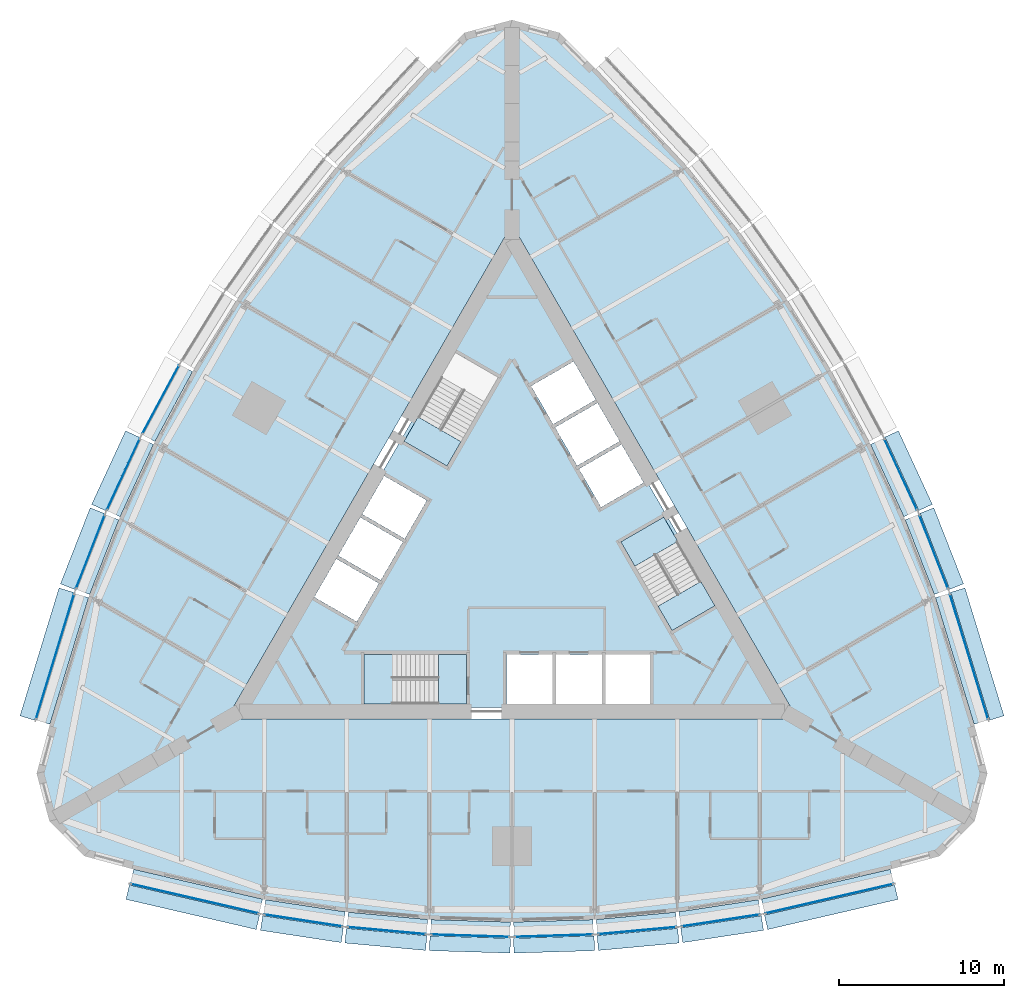
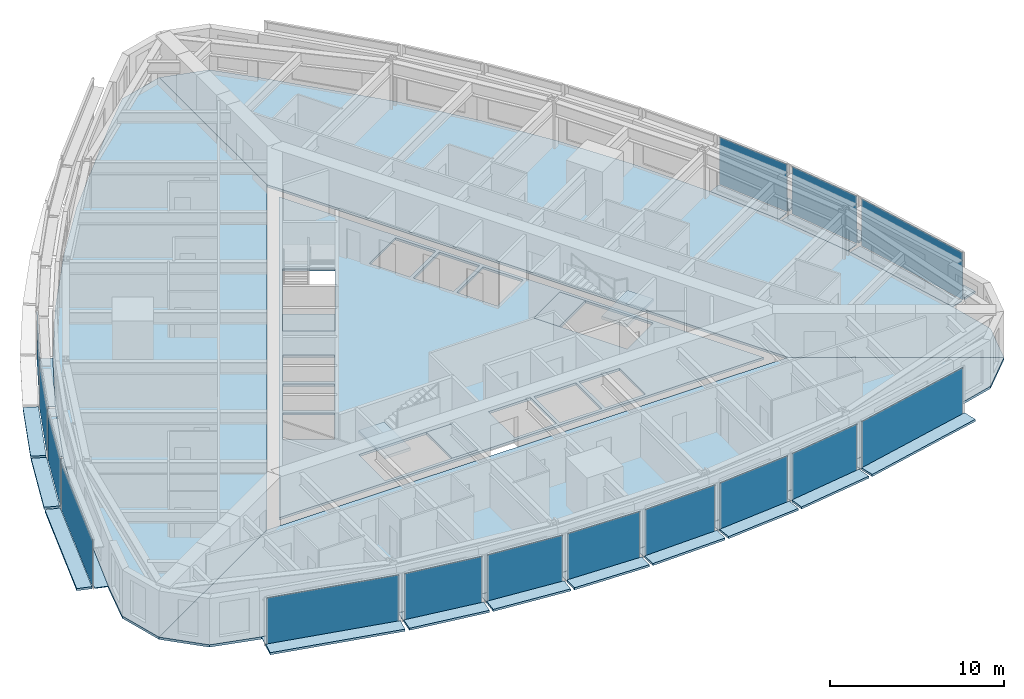
# One storey, part 6 of 14: 44 plates, 9 slabs, 18 elements without a shape of their own.
"""IFC4 building model written with IfcOpenShell, lengths in metres."""

from ifc_helpers import new_model, si_unit, direction, frame, origin, origin_2d, place, context, subcontext, project, spatial, polyline, rectangle, outline, extrude, material, layer, layer_set, type_object, element, aggregate, save


model = new_model("IFC4")

# Units and contexts
model_context = context("Model", 3, precision=1e-05, world=origin(), true_north=direction((0.0, 1.0)))
body_context = subcontext(model_context, "Body", "Model", "MODEL_VIEW")
ifc_project = project(units=[si_unit("LENGTHUNIT", "METRE"), si_unit("AREAUNIT", "SQUARE_METRE"), si_unit("VOLUMEUNIT", "CUBIC_METRE"), si_unit("PLANEANGLEUNIT", "RADIAN"), si_unit("MASSUNIT", "GRAM", prefix="KILO")], contexts=[model_context])

# Site, building, storey
site_placement = place(None, origin())
site = spatial("IfcSite", under=ifc_project, at=site_placement, CompositionType="ELEMENT")
building_placement = place(site_placement, origin())
building = spatial("IfcBuilding", under=site, at=building_placement, Name="Trikona Tower", CompositionType="ELEMENT")
storey_placement = place(building_placement, frame((0.0, 0.0, 62.5)))
storey = spatial("IfcBuildingStorey", under=building, at=storey_placement, Name="L15", CompositionType="ELEMENT", Elevation=62.5)

# Plates
ifc_material_1 = material(Name="Aluminium bar grating", Category="aluminium")
ifc_layer_1 = layer(ifc_material_1, 0.050048828125)
ifc_layer_set_1 = layer_set([ifc_layer_1], Name="Cavity catwalk grating")
plate_type_1 = type_object("IfcPlateType", Name="Cavity catwalk grating", PredefinedType="USERDEFINED", material=ifc_layer_set_1)
plate_1_placement = place(storey_placement, frame((-19.09228515625, -20.377197265625, -0.0498046875), z_axis=(0.0, 0.0, 1.0), x_axis=(0.974277718622, -0.225350675607, 0.0)))
element("IfcPlate", 1, at=plate_1_placement, inside=storey, type_object=plate_type_1, Name="Cavity catwalk L15-00", ObjectType="CATWALK GRATING", PredefinedType="USERDEFINED", context=body_context, shape_type="SweptSolid", body=[
    extrude(rectangle(XDim=8.01123046875, YDim=0.820068359375, at=origin_2d()), origin(), (0.0, 0.0, 1.0), 0.050048828125),
])
plate_2_placement = place(storey_placement, frame((-12.561767578125, -21.688720703125, -0.0498046875), z_axis=(0.0, 0.0, 1.0), x_axis=(0.988617896768, -0.150448177754, 0.0)))
element("IfcPlate", 2, at=plate_2_placement, inside=storey, type_object=plate_type_1, Name="Cavity catwalk L15-01", ObjectType="CATWALK GRATING", PredefinedType="USERDEFINED", context=body_context, shape_type="SweptSolid", body=[
    extrude(rectangle(XDim=4.857666015625, YDim=0.820068359375, at=origin_2d()), origin(), (0.0, 0.0, 1.0), 0.050048828125),
])
plate_3_placement = place(storey_placement, frame((-7.537353515625, -22.300537109375, -0.0498046875), z_axis=(0.0, 0.0, 1.0), x_axis=(0.995858098326, -0.090921108655, 0.0)))
element("IfcPlate", 3, at=plate_3_placement, inside=storey, type_object=plate_type_1, Name="Cavity catwalk L15-02", ObjectType="CATWALK GRATING", PredefinedType="USERDEFINED", context=body_context, shape_type="SweptSolid", body=[
    extrude(rectangle(XDim=4.82080078125, YDim=0.820068359375, at=origin_2d()), origin(), (0.0, 0.0, 1.0), 0.050048828125),
])
for number, where, z_axis, x_axis, name in (
    (4, (-2.512451171875, -22.606201171875, -0.0498046875), (0.0, 0.0, 1.0), (0.999537048889, -0.030425119525, 0.0), "Cavity catwalk L15-03"),
    (5, (2.512451171875, -22.606201171875, -0.0498046875), (0.0, 0.0, 1.0), (0.999537048889, 0.030425119525, 0.0), "Cavity catwalk L15-04"),
):
    element("IfcPlate", number, at=place(storey_placement, frame(where, z_axis=z_axis, x_axis=x_axis)), inside=storey, type_object=plate_type_1, Name=name, ObjectType="CATWALK GRATING", PredefinedType="USERDEFINED", context=body_context, shape_type="SweptSolid", body=[
        extrude(rectangle(XDim=4.80224609375, YDim=0.820068359375, at=origin_2d()), origin(), (0.0, 0.0, 1.0), 0.050048828125),
    ])
plate_4_placement = place(storey_placement, frame((7.537353515625, -22.300537109375, -0.0498046875), z_axis=(0.0, 0.0, 1.0), x_axis=(0.995858098326, 0.090921108655, 0.0)))
element("IfcPlate", 6, at=plate_4_placement, inside=storey, type_object=plate_type_1, Name="Cavity catwalk L15-05", ObjectType="CATWALK GRATING", PredefinedType="USERDEFINED", context=body_context, shape_type="SweptSolid", body=[
    extrude(rectangle(XDim=4.82080078125, YDim=0.820068359375, at=origin_2d()), origin(), (0.0, 0.0, 1.0), 0.050048828125),
])
plate_5_placement = place(storey_placement, frame((12.561767578125, -21.688720703125, -0.0498046875), z_axis=(0.0, 0.0, 1.0), x_axis=(0.988617896768, 0.150448177754, 0.0)))
element("IfcPlate", 7, at=plate_5_placement, inside=storey, type_object=plate_type_1, Name="Cavity catwalk L15-06", ObjectType="CATWALK GRATING", PredefinedType="USERDEFINED", context=body_context, shape_type="SweptSolid", body=[
    extrude(rectangle(XDim=4.857666015625, YDim=0.820068359375, at=origin_2d()), origin(), (0.0, 0.0, 1.0), 0.050048828125),
])
for number, where, z_axis, x_axis, name in (
    (8, (19.09228515625, -20.377197265625, -0.0498046875), (0.0, 0.0, 1.0), (0.974277718622, 0.225350675607, 0.0), "Cavity catwalk L15-07"),
    (9, (27.193359375, -6.345947265625, -0.0498046875), (0.0, 0.0, 1.0), (-0.291979449475, 0.956424592471, 0.0), "Cavity catwalk L15-12"),
):
    element("IfcPlate", number, at=place(storey_placement, frame(where, z_axis=z_axis, x_axis=x_axis)), inside=storey, type_object=plate_type_1, Name=name, ObjectType="CATWALK GRATING", PredefinedType="USERDEFINED", context=body_context, shape_type="SweptSolid", body=[
        extrude(rectangle(XDim=8.01123046875, YDim=0.820068359375, at=origin_2d()), origin(), (0.0, 0.0, 1.0), 0.050048828125),
    ])
plate_6_placement = place(storey_placement, frame((25.06396484375, -0.034423828125, -0.0498046875), z_axis=(0.0, 0.0, 1.0), x_axis=(-0.364008876551, 0.931395478726, 0.0)))
element("IfcPlate", 10, at=plate_6_placement, inside=storey, type_object=plate_type_1, Name="Cavity catwalk L15-13", ObjectType="CATWALK GRATING", PredefinedType="USERDEFINED", context=body_context, shape_type="SweptSolid", body=[
    extrude(rectangle(XDim=4.857666015625, YDim=0.820068359375, at=origin_2d()), origin(), (0.0, 0.0, 1.0), 0.050048828125),
])
plate_7_placement = place(storey_placement, frame((23.081298828125, 4.622802734375, -0.0498046875), z_axis=(0.0, 0.0, 1.0), x_axis=(-0.41919381307, 0.907896771161, 0.0)))
element("IfcPlate", 11, at=plate_7_placement, inside=storey, type_object=plate_type_1, Name="Cavity catwalk L15-14", ObjectType="CATWALK GRATING", PredefinedType="USERDEFINED", context=body_context, shape_type="SweptSolid", body=[
    extrude(rectangle(XDim=4.82080078125, YDim=0.820068359375, at=origin_2d()), origin(), (0.0, 0.0, 1.0), 0.050048828125),
])
plate_8_placement = place(storey_placement, frame((-20.833740234375, 9.127197265625, -0.0498046875), z_axis=(0.0, 0.0, 1.0), x_axis=(-0.473422672721, -0.880835383572, 0.0)))
element("IfcPlate", 12, at=plate_8_placement, inside=storey, type_object=plate_type_1, Name="Cavity catwalk L15-28", ObjectType="CATWALK GRATING", PredefinedType="USERDEFINED", context=body_context, shape_type="SweptSolid", body=[
    extrude(rectangle(XDim=4.80224609375, YDim=0.820068359375, at=origin_2d()), origin(), (0.0, 0.0, 1.0), 0.050048828125),
])
plate_9_placement = place(storey_placement, frame((-23.081298828125, 4.622802734375, -0.0498046875), z_axis=(0.0, 0.0, 1.0), x_axis=(-0.41919381307, -0.907896771161, 0.0)))
element("IfcPlate", 13, at=plate_9_placement, inside=storey, type_object=plate_type_1, Name="Cavity catwalk L15-29", ObjectType="CATWALK GRATING", PredefinedType="USERDEFINED", context=body_context, shape_type="SweptSolid", body=[
    extrude(rectangle(XDim=4.82080078125, YDim=0.820068359375, at=origin_2d()), origin(), (0.0, 0.0, 1.0), 0.050048828125),
])
plate_10_placement = place(storey_placement, frame((-25.06396484375, -0.034423828125, -0.0498046875), z_axis=(0.0, 0.0, 1.0), x_axis=(-0.364008876551, -0.931395478726, 0.0)))
element("IfcPlate", 14, at=plate_10_placement, inside=storey, type_object=plate_type_1, Name="Cavity catwalk L15-30", ObjectType="CATWALK GRATING", PredefinedType="USERDEFINED", context=body_context, shape_type="SweptSolid", body=[
    extrude(rectangle(XDim=4.857666015625, YDim=0.820068359375, at=origin_2d()), origin(), (0.0, 0.0, 1.0), 0.050048828125),
])
plate_11_placement = place(storey_placement, frame((-27.193359375, -6.345947265625, -0.0498046875), z_axis=(0.0, 0.0, 1.0), x_axis=(-0.291979449475, -0.956424592471, 0.0)))
element("IfcPlate", 15, at=plate_11_placement, inside=storey, type_object=plate_type_1, Name="Cavity catwalk L15-31", ObjectType="CATWALK GRATING", PredefinedType="USERDEFINED", context=body_context, shape_type="SweptSolid", body=[
    extrude(rectangle(XDim=8.01123046875, YDim=0.820068359375, at=origin_2d()), origin(), (0.0, 0.0, 1.0), 0.050048828125),
])

# Slabs
ifc_material_2 = material(Name="Concrete f'c 5000 psi lightweight on composite steel deck", Category="concrete")
ifc_layer_2 = layer(ifc_material_2, 0.1650390625)
ifc_layer_set_2 = layer_set([ifc_layer_2], Name="Composite floor slab 165")
slab_type_1 = type_object("IfcSlabType", Name="Composite floor slab 165", PredefinedType="FLOOR", material=ifc_layer_set_2)
slab_1_placement = place(storey_placement, frame((0.0, 0.0, -0.1650390625)))
element("IfcSlab", 16, at=slab_1_placement, inside=storey, type_object=slab_type_1, Name="Floor slab L15 core", PredefinedType="FLOOR", context=body_context, shape_type="SweptSolid", body=[
    extrude(outline(polyline([(-16.06689453125, -9.2763671875), (16.06689453125, -9.2763671875), (0.0, 18.552490234375), (-16.06689453125, -9.2763671875)]), holes=[polyline([(12.285400390625, -3.126220703125), (9.185302734375, 2.2431640625), (6.587158203125, 0.7431640625), (9.687255859375, -4.626220703125), (12.285400390625, -3.126220703125)]), polyline([(8.340087890625, -9.06640625), (8.340087890625, -6.086181640625), (5.659912109375, -6.086181640625), (5.659912109375, -9.06640625), (8.340087890625, -9.06640625)]), polyline([(5.390869140625, 2.835205078125), (7.9716796875, 4.3251953125), (6.631591796875, 6.646240234375), (4.05078125, 5.15625), (5.390869140625, 2.835205078125)]), polyline([(2.600830078125, 7.667724609375), (3.94091796875, 5.3466796875), (6.521484375, 6.8369140625), (5.181640625, 9.15771484375), (2.600830078125, 7.667724609375)]), polyline([(5.43994140625, -6.086181640625), (2.659912109375, -6.086181640625), (2.659912109375, -9.06640625), (5.43994140625, -9.06640625), (5.43994140625, -6.086181640625)]), polyline([(3.731689453125, 11.669189453125), (1.15087890625, 10.17919921875), (2.490966796875, 7.858154296875), (5.071533203125, 9.34814453125), (3.731689453125, 11.669189453125)]), polyline([(-0.340087890625, -6.086181640625), (-0.340087890625, -9.06640625), (2.43994140625, -9.06640625), (2.43994140625, -6.086181640625), (-0.340087890625, -6.086181640625)]), polyline([(-3.435302734375, 12.202392578125), (-6.535400390625, 6.8330078125), (-3.937255859375, 5.3330078125), (-0.837158203125, 10.702392578125), (-3.435302734375, 12.202392578125)]), polyline([(-8.949951171875, -9.076416015625), (-2.75, -9.076416015625), (-2.75, -6.076416015625), (-8.949951171875, -6.076416015625), (-8.949951171875, -9.076416015625)]), polyline([(-5.15087890625, 3.2509765625), (-7.731689453125, 4.740966796875), (-9.071533203125, 2.419921875), (-6.490966796875, 0.929931640625), (-5.15087890625, 3.2509765625)]), polyline([(-7.94091796875, -1.581298828125), (-6.600830078125, 0.739501953125), (-9.181640625, 2.2294921875), (-10.521484375, -0.09130859375), (-7.94091796875, -1.581298828125)]), polyline([(-11.9716796875, -2.602783203125), (-9.390869140625, -4.093017578125), (-8.05078125, -1.77197265625), (-10.631591796875, -0.281982421875), (-11.9716796875, -2.602783203125)])]), origin(), (0.0, 0.0, 1.0), 0.1650390625),
])
slab_2_placement = place(storey_placement, frame((0.0, 0.0, -0.1650390625)))
element("IfcSlab", 17, at=slab_2_placement, inside=storey, type_object=slab_type_1, Name="Floor slab L15 south", PredefinedType="FLOOR", context=body_context, shape_type="SweptSolid", body=[
    extrude(outline(polyline([(25.88671875, -18.279052734375), (28.0, -16.165771484375), (17.279296875, -9.976318359375), (-17.279296875, -9.976318359375), (-28.0, -16.165771484375), (-25.88671875, -18.279052734375), (-23.0, -19.052490234375), (-15.0, -20.903076171875), (-10.0, -21.663818359375), (-5.0, -22.120361328125), (0.0, -22.272705078125), (5.0, -22.120361328125), (10.0, -21.663818359375), (15.0, -20.903076171875), (23.0, -19.052490234375), (25.88671875, -18.279052734375)])), origin(), (0.0, 0.0, 1.0), 0.1650390625),
])
slab_3_placement = place(storey_placement, frame((0.0, 0.0, -0.1650390625)))
element("IfcSlab", 18, at=slab_3_placement, inside=storey, type_object=slab_type_1, Name="Floor slab L15 north-east", PredefinedType="FLOOR", context=body_context, shape_type="SweptSolid", body=[
    extrude(outline(polyline([(2.88671875, 31.55810546875), (0.0, 32.33154296875), (0.0, 19.95263671875), (17.279296875, -9.976318359375), (28.0, -16.165771484375), (28.7734375, -13.279052734375), (28.0, -10.392333984375), (25.6025390625, -2.538818359375), (23.761474609375, 2.171630859375), (21.65673828125, 6.72998046875), (19.28857421875, 11.13623046875), (16.65673828125, 15.390380859375), (13.761474609375, 19.4921875), (10.6025390625, 23.44189453125), (5.0, 29.44482421875), (2.88671875, 31.55810546875)])), origin(), (0.0, 0.0, 1.0), 0.1650390625),
])
slab_4_placement = place(storey_placement, frame((0.0, 0.0, -0.1650390625)))
element("IfcSlab", 19, at=slab_4_placement, inside=storey, type_object=slab_type_1, Name="Floor slab L15 north-west", PredefinedType="FLOOR", context=body_context, shape_type="SweptSolid", body=[
    extrude(outline(polyline([(0.0, 19.95263671875), (0.0, 32.33154296875), (-2.88671875, 31.55810546875), (-5.0, 29.44482421875), (-10.6025390625, 23.44189453125), (-13.761474609375, 19.4921875), (-16.65673828125, 15.390380859375), (-19.28857421875, 11.13623046875), (-21.65673828125, 6.72998046875), (-23.761474609375, 2.171630859375), (-25.6025390625, -2.538818359375), (-28.0, -10.392333984375), (-28.7734375, -13.279052734375), (-28.0, -16.165771484375), (-17.279296875, -9.976318359375), (0.0, 19.95263671875)])), origin(), (0.0, 0.0, 1.0), 0.1650390625),
])

# Curtain wall, plate
ifc_material_3 = material(Name="Aluminium curtain wall system", Category="aluminium")
curtain_wall_type = type_object("IfcCurtainWallType", Name="Curtain wall DS1", PredefinedType="NOTDEFINED", material=ifc_material_3)
curtain_wall_1_placement = place(storey_placement, origin())
curtain_wall_1 = element("IfcCurtainWall", 20, at=curtain_wall_1_placement, inside=storey, type_object=curtain_wall_type, Name="Curtain wall DS1 L15", PredefinedType="NOTDEFINED")
ifc_material_4 = material(Name="Laminated clear glass", Category="glass")
ifc_layer_3 = layer(ifc_material_4, 0.028076171875)
ifc_layer_set_3 = layer_set([ifc_layer_3], Name="Glass panel DS1")
plate_type_2 = type_object("IfcPlateType", Name="Glass panel DS1", PredefinedType="CURTAIN_PANEL", material=ifc_layer_set_3)
plate_12_placement = place(storey_placement, frame((-19.202880859375, -20.854736328125, 0.0), z_axis=(0.0, 0.0, 1.0), x_axis=(0.974279427173, -0.225343288756, 0.0)))
plate_12 = element("IfcPlate", 21, at=plate_12_placement, type_object=plate_type_2, Name="CW-DS1 panel 1.1", PredefinedType="CURTAIN_PANEL", context=body_context, shape_type="SweptSolid", body=[
    extrude(rectangle(XDim=7.93115234375, YDim=0.028076171875, at=origin_2d()), origin(), (0.0, 0.0, 1.0), 3.320068359375),
])
aggregate(curtain_wall_1, [plate_12])

curtain_wall_2_placement = place(storey_placement, origin())
curtain_wall_2 = element("IfcCurtainWall", 22, at=curtain_wall_2_placement, inside=storey, type_object=curtain_wall_type, Name="Curtain wall DS1 L15", PredefinedType="NOTDEFINED")
plate_13_placement = place(storey_placement, frame((-12.635498046875, -22.173095703125, 0.0), z_axis=(0.0, 0.0, 1.0), x_axis=(0.988619492156, -0.150437693845, 0.0)))
plate_13 = element("IfcPlate", 23, at=plate_13_placement, type_object=plate_type_2, Name="CW-DS1 panel 1.1", PredefinedType="CURTAIN_PANEL", context=body_context, shape_type="SweptSolid", body=[
    extrude(rectangle(XDim=4.777587890625, YDim=0.028076171875, at=origin_2d()), origin(), (0.0, 0.0, 1.0), 3.320068359375),
])
aggregate(curtain_wall_2, [plate_13])

curtain_wall_3_placement = place(storey_placement, origin())
curtain_wall_3 = element("IfcCurtainWall", 24, at=curtain_wall_3_placement, inside=storey, type_object=curtain_wall_type, Name="Curtain wall DS1 L15", PredefinedType="NOTDEFINED")
plate_14_placement = place(storey_placement, frame((-7.581787109375, -22.788330078125, 0.0), z_axis=(0.0, 0.0, 1.0), x_axis=(0.995857840485, -0.090923932737, 0.0)))
plate_14 = element("IfcPlate", 25, at=plate_14_placement, type_object=plate_type_2, Name="CW-DS1 panel 1.1", PredefinedType="CURTAIN_PANEL", context=body_context, shape_type="SweptSolid", body=[
    extrude(rectangle(XDim=4.74072265625, YDim=0.028076171875, at=origin_2d()), origin(), (0.0, 0.0, 1.0), 3.320068359375),
])
aggregate(curtain_wall_3, [plate_14])

curtain_wall_4_placement = place(storey_placement, origin())
curtain_wall_4 = element("IfcCurtainWall", 26, at=curtain_wall_4_placement, inside=storey, type_object=curtain_wall_type, Name="Curtain wall DS1 L15", PredefinedType="NOTDEFINED")
plate_15_placement = place(storey_placement, frame((-2.52734375, -23.09619140625, 0.0), z_axis=(0.0, 0.0, 1.0), x_axis=(0.999536695965, -0.030436711692, 0.0)))
plate_15 = element("IfcPlate", 27, at=plate_15_placement, type_object=plate_type_2, Name="CW-DS1 panel 1.1", PredefinedType="CURTAIN_PANEL", context=body_context, shape_type="SweptSolid", body=[
    extrude(rectangle(XDim=4.72216796875, YDim=0.028076171875, at=origin_2d()), origin(), (0.0, 0.0, 1.0), 3.320068359375),
])
aggregate(curtain_wall_4, [plate_15])

curtain_wall_5_placement = place(storey_placement, origin())
curtain_wall_5 = element("IfcCurtainWall", 28, at=curtain_wall_5_placement, inside=storey, type_object=curtain_wall_type, Name="Curtain wall DS1 L15", PredefinedType="NOTDEFINED")
plate_16_placement = place(storey_placement, frame((2.52734375, -23.09619140625, 0.0), z_axis=(0.0, 0.0, 1.0), x_axis=(0.999536695965, 0.030436711692, 0.0)))
plate_16 = element("IfcPlate", 29, at=plate_16_placement, type_object=plate_type_2, Name="CW-DS1 panel 1.1", PredefinedType="CURTAIN_PANEL", context=body_context, shape_type="SweptSolid", body=[
    extrude(rectangle(XDim=4.72216796875, YDim=0.028076171875, at=origin_2d()), origin(), (0.0, 0.0, 1.0), 3.320068359375),
])
aggregate(curtain_wall_5, [plate_16])

curtain_wall_6_placement = place(storey_placement, origin())
curtain_wall_6 = element("IfcCurtainWall", 30, at=curtain_wall_6_placement, inside=storey, type_object=curtain_wall_type, Name="Curtain wall DS1 L15", PredefinedType="NOTDEFINED")
plate_17_placement = place(storey_placement, frame((7.581787109375, -22.788330078125, 0.0), z_axis=(0.0, 0.0, 1.0), x_axis=(0.995857840485, 0.090923932737, 0.0)))
plate_17 = element("IfcPlate", 31, at=plate_17_placement, type_object=plate_type_2, Name="CW-DS1 panel 1.1", PredefinedType="CURTAIN_PANEL", context=body_context, shape_type="SweptSolid", body=[
    extrude(rectangle(XDim=4.74072265625, YDim=0.028076171875, at=origin_2d()), origin(), (0.0, 0.0, 1.0), 3.320068359375),
])
aggregate(curtain_wall_6, [plate_17])

curtain_wall_7_placement = place(storey_placement, origin())
curtain_wall_7 = element("IfcCurtainWall", 32, at=curtain_wall_7_placement, inside=storey, type_object=curtain_wall_type, Name="Curtain wall DS1 L15", PredefinedType="NOTDEFINED")
plate_18_placement = place(storey_placement, frame((12.635498046875, -22.173095703125, 0.0), z_axis=(0.0, 0.0, 1.0), x_axis=(0.988619492156, 0.150437693845, 0.0)))
plate_18 = element("IfcPlate", 33, at=plate_18_placement, type_object=plate_type_2, Name="CW-DS1 panel 1.1", PredefinedType="CURTAIN_PANEL", context=body_context, shape_type="SweptSolid", body=[
    extrude(rectangle(XDim=4.777587890625, YDim=0.028076171875, at=origin_2d()), origin(), (0.0, 0.0, 1.0), 3.320068359375),
])
aggregate(curtain_wall_7, [plate_18])

curtain_wall_8_placement = place(storey_placement, origin())
curtain_wall_8 = element("IfcCurtainWall", 34, at=curtain_wall_8_placement, inside=storey, type_object=curtain_wall_type, Name="Curtain wall DS1 L15", PredefinedType="NOTDEFINED")
plate_19_placement = place(storey_placement, frame((19.202880859375, -20.854736328125, 0.0), z_axis=(0.0, 0.0, 1.0), x_axis=(0.974279427173, 0.225343288756, 0.0)))
plate_19 = element("IfcPlate", 35, at=plate_19_placement, type_object=plate_type_2, Name="CW-DS1 panel 1.1", PredefinedType="CURTAIN_PANEL", context=body_context, shape_type="SweptSolid", body=[
    extrude(rectangle(XDim=7.93115234375, YDim=0.028076171875, at=origin_2d()), origin(), (0.0, 0.0, 1.0), 3.320068359375),
])
aggregate(curtain_wall_8, [plate_19])

curtain_wall_9_placement = place(storey_placement, origin())
curtain_wall_9 = element("IfcCurtainWall", 36, at=curtain_wall_9_placement, inside=storey, type_object=curtain_wall_type, Name="Curtain wall DS1 L15", PredefinedType="NOTDEFINED")
plate_20_placement = place(storey_placement, frame((27.662109375, -6.202880859375, 0.0), z_axis=(0.0, 0.0, 1.0), x_axis=(-0.291984287868, 0.956423115383, 0.0)))
plate_20 = element("IfcPlate", 37, at=plate_20_placement, type_object=plate_type_2, Name="CW-DS1 panel 1.1", PredefinedType="CURTAIN_PANEL", context=body_context, shape_type="SweptSolid", body=[
    extrude(rectangle(XDim=7.93115234375, YDim=0.028076171875, at=origin_2d()), origin(), (0.0, 0.0, 1.0), 3.320068359375),
])
aggregate(curtain_wall_9, [plate_20])

curtain_wall_10_placement = place(storey_placement, origin())
curtain_wall_10 = element("IfcCurtainWall", 38, at=curtain_wall_10_placement, inside=storey, type_object=curtain_wall_type, Name="Curtain wall DS1 L15", PredefinedType="NOTDEFINED")
plate_21_placement = place(storey_placement, frame((25.520263671875, 0.14404296875, 0.0), z_axis=(0.0, 0.0, 1.0), x_axis=(-0.36400756977, 0.931395989443, 0.0)))
plate_21 = element("IfcPlate", 39, at=plate_21_placement, type_object=plate_type_2, Name="CW-DS1 panel 1.1", PredefinedType="CURTAIN_PANEL", context=body_context, shape_type="SweptSolid", body=[
    extrude(rectangle(XDim=4.777587890625, YDim=0.028076171875, at=origin_2d()), origin(), (0.0, 0.0, 1.0), 3.320068359375),
])
aggregate(curtain_wall_10, [plate_21])

curtain_wall_11_placement = place(storey_placement, origin())
curtain_wall_11 = element("IfcCurtainWall", 40, at=curtain_wall_11_placement, inside=storey, type_object=curtain_wall_type, Name="Curtain wall DS1 L15", PredefinedType="NOTDEFINED")
plate_22_placement = place(storey_placement, frame((23.5263671875, 4.828125, 0.0), z_axis=(0.0, 0.0, 1.0), x_axis=(-0.419190155352, 0.907898459992, 0.0)))
plate_22 = element("IfcPlate", 41, at=plate_22_placement, type_object=plate_type_2, Name="CW-DS1 panel 1.1", PredefinedType="CURTAIN_PANEL", context=body_context, shape_type="SweptSolid", body=[
    extrude(rectangle(XDim=4.740966796875, YDim=0.028076171875, at=origin_2d()), origin(), (0.0, 0.0, 1.0), 3.320068359375),
])
aggregate(curtain_wall_11, [plate_22])

curtain_wall_12_placement = place(storey_placement, origin())
curtain_wall_12 = element("IfcCurtainWall", 42, at=curtain_wall_12_placement, inside=storey, type_object=curtain_wall_type, Name="Curtain wall DS1 L15", PredefinedType="NOTDEFINED")
plate_23_placement = place(storey_placement, frame((-21.265380859375, 9.359130859375, 0.0), z_axis=(0.0, 0.0, 1.0), x_axis=(-0.473408350896, -0.880843080975, 0.0)))
plate_23 = element("IfcPlate", 43, at=plate_23_placement, type_object=plate_type_2, Name="CW-DS1 panel 1.1", PredefinedType="CURTAIN_PANEL", context=body_context, shape_type="SweptSolid", body=[
    extrude(rectangle(XDim=4.72216796875, YDim=0.028076171875, at=origin_2d()), origin(), (0.0, 0.0, 1.0), 3.320068359375),
])
aggregate(curtain_wall_12, [plate_23])

curtain_wall_13_placement = place(storey_placement, origin())
curtain_wall_13 = element("IfcCurtainWall", 44, at=curtain_wall_13_placement, inside=storey, type_object=curtain_wall_type, Name="Curtain wall DS1 L15", PredefinedType="NOTDEFINED")
plate_24_placement = place(storey_placement, frame((-23.5263671875, 4.828125, 0.0), z_axis=(0.0, 0.0, 1.0), x_axis=(-0.419190155352, -0.907898459992, 0.0)))
plate_24 = element("IfcPlate", 45, at=plate_24_placement, type_object=plate_type_2, Name="CW-DS1 panel 1.1", PredefinedType="CURTAIN_PANEL", context=body_context, shape_type="SweptSolid", body=[
    extrude(rectangle(XDim=4.740966796875, YDim=0.028076171875, at=origin_2d()), origin(), (0.0, 0.0, 1.0), 3.320068359375),
])
aggregate(curtain_wall_13, [plate_24])

curtain_wall_14_placement = place(storey_placement, origin())
curtain_wall_14 = element("IfcCurtainWall", 46, at=curtain_wall_14_placement, inside=storey, type_object=curtain_wall_type, Name="Curtain wall DS1 L15", PredefinedType="NOTDEFINED")
plate_25_placement = place(storey_placement, frame((-25.520263671875, 0.14404296875, 0.0), z_axis=(0.0, 0.0, 1.0), x_axis=(-0.36400756977, -0.931395989443, 0.0)))
plate_25 = element("IfcPlate", 47, at=plate_25_placement, type_object=plate_type_2, Name="CW-DS1 panel 1.1", PredefinedType="CURTAIN_PANEL", context=body_context, shape_type="SweptSolid", body=[
    extrude(rectangle(XDim=4.777587890625, YDim=0.028076171875, at=origin_2d()), origin(), (0.0, 0.0, 1.0), 3.320068359375),
])
aggregate(curtain_wall_14, [plate_25])

curtain_wall_15_placement = place(storey_placement, origin())
curtain_wall_15 = element("IfcCurtainWall", 48, at=curtain_wall_15_placement, inside=storey, type_object=curtain_wall_type, Name="Curtain wall DS1 L15", PredefinedType="NOTDEFINED")
plate_26_placement = place(storey_placement, frame((-27.662109375, -6.202880859375, 0.0), z_axis=(0.0, 0.0, 1.0), x_axis=(-0.291984287868, -0.956423115383, 0.0)))
plate_26 = element("IfcPlate", 49, at=plate_26_placement, type_object=plate_type_2, Name="CW-DS1 panel 1.1", PredefinedType="CURTAIN_PANEL", context=body_context, shape_type="SweptSolid", body=[
    extrude(rectangle(XDim=7.93115234375, YDim=0.028076171875, at=origin_2d()), origin(), (0.0, 0.0, 1.0), 3.320068359375),
])
aggregate(curtain_wall_15, [plate_26])

# Plates
ifc_material_5 = material(Name="Aluminium plate fin, pale anodised, on stainless steel outriggers", Category="steel")
ifc_layer_4 = layer(ifc_material_5, 0.14990234375)
ifc_layer_set_4 = layer_set([ifc_layer_4], Name="Outer skin fin 900")
plate_type_3 = type_object("IfcPlateType", Name="Outer skin fin 900", PredefinedType="USERDEFINED", material=ifc_layer_set_4)
plate_27_placement = place(storey_placement, frame((-19.322265625, -21.37109375, 0.0), z_axis=(0.0, 0.0, 1.0), x_axis=(0.974277718622, -0.225350675607, 0.0)))
element("IfcPlate", 50, at=plate_27_placement, inside=storey, type_object=plate_type_3, Name="Outer skin fin L15-00", ObjectType="FIN", PredefinedType="USERDEFINED", context=body_context, shape_type="SweptSolid", body=[
    extrude(rectangle(XDim=8.09130859375, YDim=0.89990234375, at=origin_2d()), origin(), (0.0, 0.0, 1.0), 0.14990234375),
])
plate_28_placement = place(storey_placement, frame((-12.715087890625, -22.697265625, 0.0), z_axis=(0.0, 0.0, 1.0), x_axis=(0.988617896768, -0.150448177754, 0.0)))
element("IfcPlate", 51, at=plate_28_placement, inside=storey, type_object=plate_type_3, Name="Outer skin fin L15-01", ObjectType="FIN", PredefinedType="USERDEFINED", context=body_context, shape_type="SweptSolid", body=[
    extrude(rectangle(XDim=4.9375, YDim=0.89990234375, at=origin_2d()), origin(), (0.0, 0.0, 1.0), 0.14990234375),
])
plate_29_placement = place(storey_placement, frame((-7.6298828125, -23.316162109375, 0.0), z_axis=(0.0, 0.0, 1.0), x_axis=(0.995858098326, -0.090921108655, 0.0)))
element("IfcPlate", 52, at=plate_29_placement, inside=storey, type_object=plate_type_3, Name="Outer skin fin L15-02", ObjectType="FIN", PredefinedType="USERDEFINED", context=body_context, shape_type="SweptSolid", body=[
    extrude(rectangle(XDim=4.90087890625, YDim=0.89990234375, at=origin_2d()), origin(), (0.0, 0.0, 1.0), 0.14990234375),
])
for number, where, z_axis, x_axis, name in (
    (53, (-2.54345703125, -23.625732421875, 0.0), (0.0, 0.0, 1.0), (0.999537048889, -0.030425119525, 0.0), "Outer skin fin L15-03"),
    (54, (2.54345703125, -23.625732421875, 0.0), (0.0, 0.0, 1.0), (0.999537048889, 0.030425119525, 0.0), "Outer skin fin L15-04"),
):
    element("IfcPlate", number, at=place(storey_placement, frame(where, z_axis=z_axis, x_axis=x_axis)), inside=storey, type_object=plate_type_3, Name=name, ObjectType="FIN", PredefinedType="USERDEFINED", context=body_context, shape_type="SweptSolid", body=[
        extrude(rectangle(XDim=4.88232421875, YDim=0.89990234375, at=origin_2d()), origin(), (0.0, 0.0, 1.0), 0.14990234375),
    ])
plate_30_placement = place(storey_placement, frame((7.6298828125, -23.316162109375, 0.0), z_axis=(0.0, 0.0, 1.0), x_axis=(0.995858098326, 0.090921108655, 0.0)))
element("IfcPlate", 55, at=plate_30_placement, inside=storey, type_object=plate_type_3, Name="Outer skin fin L15-05", ObjectType="FIN", PredefinedType="USERDEFINED", context=body_context, shape_type="SweptSolid", body=[
    extrude(rectangle(XDim=4.90087890625, YDim=0.89990234375, at=origin_2d()), origin(), (0.0, 0.0, 1.0), 0.14990234375),
])
plate_31_placement = place(storey_placement, frame((12.715087890625, -22.697265625, 0.0), z_axis=(0.0, 0.0, 1.0), x_axis=(0.988617896768, 0.150448177754, 0.0)))
element("IfcPlate", 56, at=plate_31_placement, inside=storey, type_object=plate_type_3, Name="Outer skin fin L15-06", ObjectType="FIN", PredefinedType="USERDEFINED", context=body_context, shape_type="SweptSolid", body=[
    extrude(rectangle(XDim=4.9375, YDim=0.89990234375, at=origin_2d()), origin(), (0.0, 0.0, 1.0), 0.14990234375),
])
for number, where, z_axis, x_axis, name in (
    (57, (19.322265625, -21.37109375, 0.0), (0.0, 0.0, 1.0), (0.974277718622, 0.225350675607, 0.0), "Outer skin fin L15-07"),
    (58, (28.1689453125, -6.048095703125, 0.0), (0.0, 0.0, 1.0), (-0.291979449475, 0.956424592471, 0.0), "Outer skin fin L15-12"),
):
    element("IfcPlate", number, at=place(storey_placement, frame(where, z_axis=z_axis, x_axis=x_axis)), inside=storey, type_object=plate_type_3, Name=name, ObjectType="FIN", PredefinedType="USERDEFINED", context=body_context, shape_type="SweptSolid", body=[
        extrude(rectangle(XDim=8.09130859375, YDim=0.89990234375, at=origin_2d()), origin(), (0.0, 0.0, 1.0), 0.14990234375),
    ])
plate_32_placement = place(storey_placement, frame((26.013916015625, 0.3369140625, 0.0), z_axis=(0.0, 0.0, 1.0), x_axis=(-0.364008876551, 0.931395478726, 0.0)))
element("IfcPlate", 59, at=plate_32_placement, inside=storey, type_object=plate_type_3, Name="Outer skin fin L15-13", ObjectType="FIN", PredefinedType="USERDEFINED", context=body_context, shape_type="SweptSolid", body=[
    extrude(rectangle(XDim=4.9375, YDim=0.89990234375, at=origin_2d()), origin(), (0.0, 0.0, 1.0), 0.14990234375),
])
for number, where, z_axis, x_axis, name in (
    (60, (24.00732421875, 5.05029296875, 0.0), (0.0, 0.0, 1.0), (-0.41919381307, 0.907896771161, 0.0), "Outer skin fin L15-14"),
    (61, (-24.00732421875, 5.05029296875, 0.0), (0.0, 0.0, 1.0), (-0.41919381307, -0.907896771161, 0.0), "Outer skin fin L15-29"),
):
    element("IfcPlate", number, at=place(storey_placement, frame(where, z_axis=z_axis, x_axis=x_axis)), inside=storey, type_object=plate_type_3, Name=name, ObjectType="FIN", PredefinedType="USERDEFINED", context=body_context, shape_type="SweptSolid", body=[
        extrude(rectangle(XDim=4.90087890625, YDim=0.89990234375, at=origin_2d()), origin(), (0.0, 0.0, 1.0), 0.14990234375),
    ])
plate_33_placement = place(storey_placement, frame((-26.013916015625, 0.3369140625, 0.0), z_axis=(0.0, 0.0, 1.0), x_axis=(-0.364008876551, -0.931395478726, 0.0)))
element("IfcPlate", 62, at=plate_33_placement, inside=storey, type_object=plate_type_3, Name="Outer skin fin L15-30", ObjectType="FIN", PredefinedType="USERDEFINED", context=body_context, shape_type="SweptSolid", body=[
    extrude(rectangle(XDim=4.9375, YDim=0.89990234375, at=origin_2d()), origin(), (0.0, 0.0, 1.0), 0.14990234375),
])
plate_34_placement = place(storey_placement, frame((-28.1689453125, -6.048095703125, 0.0), z_axis=(0.0, 0.0, 1.0), x_axis=(-0.291979449475, -0.956424592471, 0.0)))
element("IfcPlate", 63, at=plate_34_placement, inside=storey, type_object=plate_type_3, Name="Outer skin fin L15-31", ObjectType="FIN", PredefinedType="USERDEFINED", context=body_context, shape_type="SweptSolid", body=[
    extrude(rectangle(XDim=8.09130859375, YDim=0.89990234375, at=origin_2d()), origin(), (0.0, 0.0, 1.0), 0.14990234375),
])

# Stair, slabs
ifc_material_6 = material(Name="Concrete f'c 5000 psi", Category="concrete")
stair_type = type_object("IfcStairType", Name="Core stair", PredefinedType="HALF_TURN_STAIR", material=ifc_material_6)
stair_1_placement = place(storey_placement, origin())
stair_1 = element("IfcStair", 64, at=stair_1_placement, inside=storey, type_object=stair_type, Name="Stair A L15", PredefinedType="HALF_TURN_STAIR")
ifc_material_7 = material(Name="Concrete f'c 5000 psi", Category="concrete")
ifc_layer_5 = layer(ifc_material_7, 0.199951171875)
ifc_layer_set_5 = layer_set([ifc_layer_5], Name="Stair landing 200")
slab_type_2 = type_object("IfcSlabType", Name="Stair landing 200", PredefinedType="LANDING", material=ifc_layer_set_5)
slab_5_placement = place(storey_placement, frame((0.0, 0.0, -0.199951171875)))
slab_5 = element("IfcSlab", 65, at=slab_5_placement, type_object=slab_type_2, Name="ST-A landing 1", PredefinedType="LANDING", context=body_context, shape_type="SweptSolid", body=[
    extrude(outline(polyline([(-4.452880859375, -6.076416015625), (-2.75, -6.076416015625), (-2.75, -9.076416015625), (-4.452880859375, -9.076416015625), (-4.452880859375, -6.076416015625)])), origin(), (0.0, 0.0, 1.0), 0.199951171875),
])
slab_6_placement = place(storey_placement, frame((0.0, 0.0, 1.5)))
slab_6 = element("IfcSlab", 66, at=slab_6_placement, type_object=slab_type_2, Name="ST-A landing 2", PredefinedType="LANDING", context=body_context, shape_type="SweptSolid", body=[
    extrude(outline(polyline([(-8.949951171875, -6.076416015625), (-7.2470703125, -6.076416015625), (-7.2470703125, -9.076416015625), (-8.949951171875, -9.076416015625), (-8.949951171875, -6.076416015625)])), origin(), (0.0, 0.0, 1.0), 0.199951171875),
])
aggregate(stair_1, [slab_5, slab_6])

stair_2_placement = place(storey_placement, origin())
stair_2 = element("IfcStair", 67, at=stair_2_placement, inside=storey, type_object=stair_type, Name="Stair B L15", PredefinedType="HALF_TURN_STAIR")
slab_7_placement = place(storey_placement, frame((0.0, 0.0, -0.199951171875)))
slab_7 = element("IfcSlab", 68, at=slab_7_placement, type_object=slab_type_2, Name="ST-B landing 1", PredefinedType="LANDING", context=body_context, shape_type="SweptSolid", body=[
    extrude(outline(polyline([(7.438720703125, -0.731689453125), (6.587158203125, 0.7431640625), (9.185302734375, 2.2431640625), (10.036865234375, 0.768310546875), (7.438720703125, -0.731689453125)])), origin(), (0.0, 0.0, 1.0), 0.199951171875),
])
slab_8_placement = place(storey_placement, frame((0.0, 0.0, 1.5)))
slab_8 = element("IfcSlab", 69, at=slab_8_placement, type_object=slab_type_2, Name="ST-B landing 2", PredefinedType="LANDING", context=body_context, shape_type="SweptSolid", body=[
    extrude(outline(polyline([(9.687255859375, -4.626220703125), (8.835693359375, -3.1513671875), (11.433837890625, -1.6513671875), (12.285400390625, -3.126220703125), (9.687255859375, -4.626220703125)])), origin(), (0.0, 0.0, 1.0), 0.199951171875),
])
aggregate(stair_2, [slab_7, slab_8])

# Stair, slab
stair_3_placement = place(storey_placement, origin())
stair_3 = element("IfcStair", 70, at=stair_3_placement, inside=storey, type_object=stair_type, Name="Stair C L15", PredefinedType="HALF_TURN_STAIR")
slab_9_placement = place(storey_placement, frame((0.0, 0.0, -0.199951171875)))
slab_9 = element("IfcSlab", 71, at=slab_9_placement, type_object=slab_type_2, Name="ST-C landing 1", PredefinedType="LANDING", context=body_context, shape_type="SweptSolid", body=[
    extrude(outline(polyline([(-3.085693359375, 6.807861328125), (-3.937255859375, 5.3330078125), (-6.535400390625, 6.8330078125), (-5.683837890625, 8.307861328125), (-3.085693359375, 6.807861328125)])), origin(), (0.0, 0.0, 1.0), 0.199951171875),
])
aggregate(stair_3, [slab_9])

save(model, "model.ifc")
